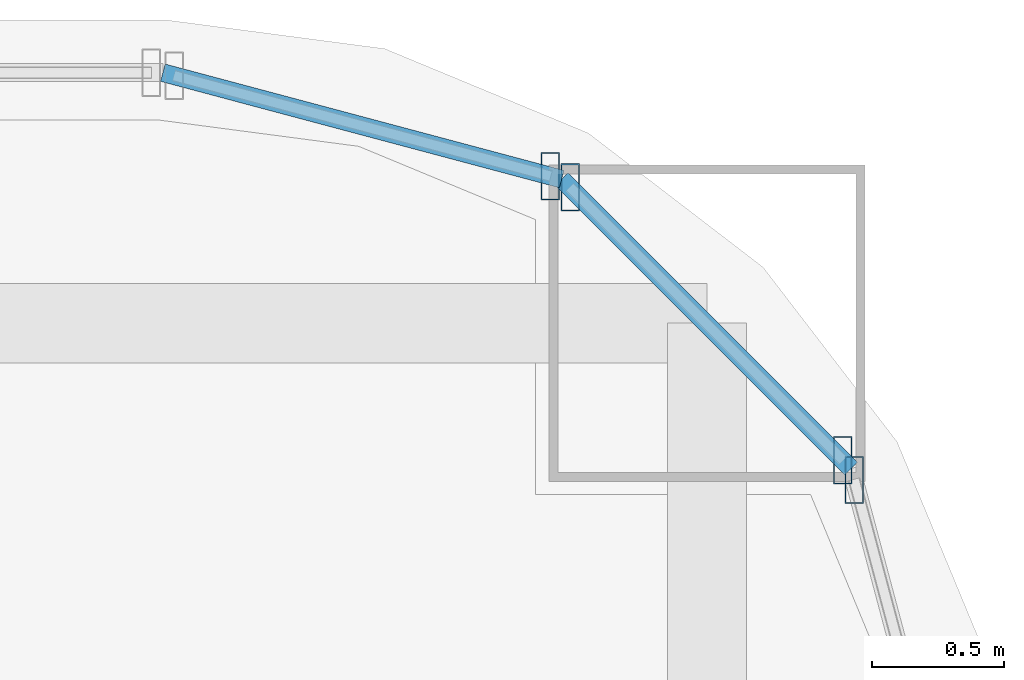
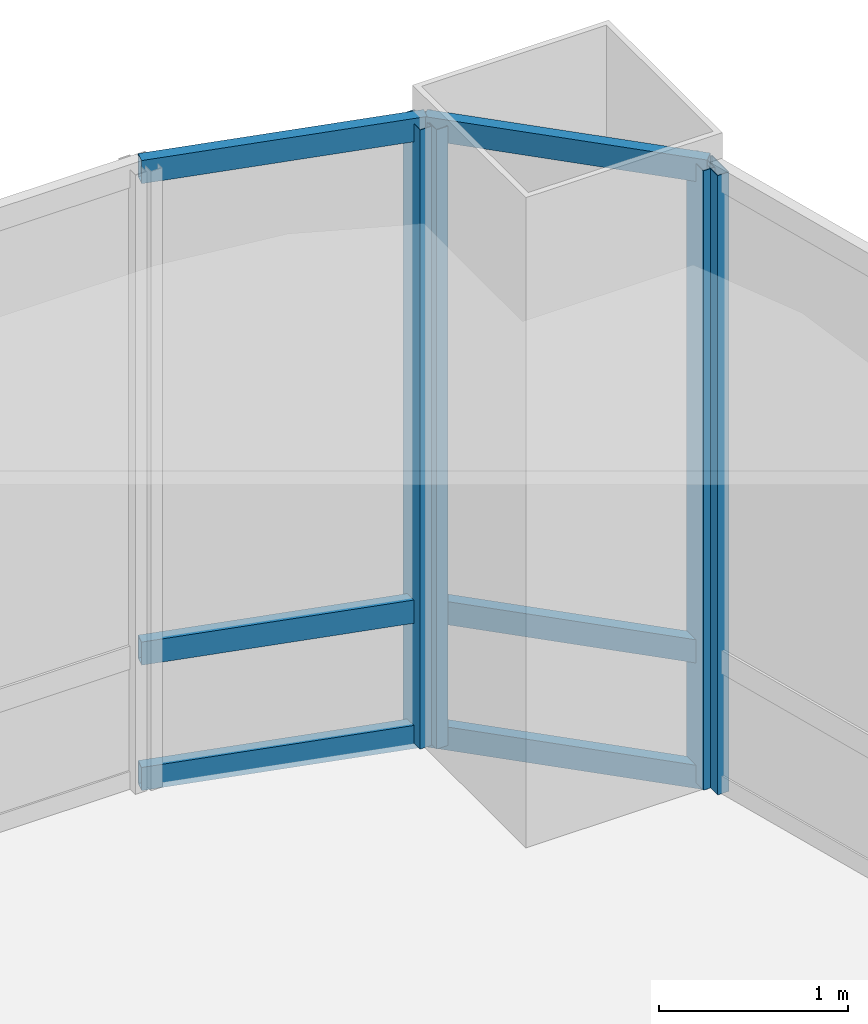
# One storey, part 32 of 43: 10 members, 3 elements without a shape of their own.
"""IFC4 building model written with IfcOpenShell, lengths in metres."""

from ifc_helpers import new_model, si_unit, direction, frame, origin, origin_2d, place, context, subcontext, project, spatial, hollow_rectangle, extrude, material, material_profile, profile_set, type_object, element, aggregate, save


model = new_model("IFC4")

# Units and contexts
model_context = context("Model", 3, precision=1e-05, world=origin(), true_north=direction((0.0, 1.0)))
body_context = subcontext(model_context, "Body", "Model", "MODEL_VIEW")
ifc_project = project(units=[si_unit("LENGTHUNIT", "METRE"), si_unit("AREAUNIT", "SQUARE_METRE"), si_unit("VOLUMEUNIT", "CUBIC_METRE"), si_unit("PLANEANGLEUNIT", "RADIAN"), si_unit("MASSUNIT", "GRAM", prefix="KILO")], contexts=[model_context])

# Site, building, storey
site_placement = place(None, origin())
site = spatial("IfcSite", under=ifc_project, at=site_placement, CompositionType="ELEMENT")
building_placement = place(site_placement, origin())
building = spatial("IfcBuilding", under=site, at=building_placement, Name="Punatoya Terracotta Tower", CompositionType="ELEMENT")
storey_placement = place(building_placement, frame((0.0, 0.0, 321.60009765625)))
storey = spatial("IfcBuildingStorey", under=building, at=storey_placement, Name="L76", CompositionType="ELEMENT", Elevation=321.60009765625)

# Curtain wall, member
ifc_material_1 = material(Name="Aluminium 6063-T6 + Double Low-E Glass", Category="aluminium")
curtain_wall_type = type_object("IfcCurtainWallType", Name="CW-OBS", PredefinedType="NOTDEFINED", material=ifc_material_1)
curtain_wall_1_placement = place(storey_placement, origin())
curtain_wall_1 = element("IfcCurtainWall", 1, at=curtain_wall_1_placement, inside=storey, type_object=curtain_wall_type, Name="L76 Curtain Wall CW-L76-CRN06", PredefinedType="NOTDEFINED")
ifc_material_2 = material(Name="Aluminium 6063-T6", Category="aluminium")
ifc_material_profile_1 = material_profile(ifc_material_2, hollow_rectangle(XDim=0.070068359375, YDim=0.179931640625, WallThickness=0.00390625, at=origin_2d()))
ifc_profile_set_1 = profile_set([ifc_material_profile_1], Name="Aluminium 6063-T6")
member_type_1 = type_object("IfcMemberType", Name="CW-MUL-M3", PredefinedType="MULLION", material=ifc_profile_set_1)
member_1_placement = place(storey_placement, frame((19.658203125, 16.905517578125, 0.0), z_axis=(0.0, 0.0, 1.0), x_axis=(1.0, 0.0, 0.0)))
member_1 = element("IfcMember", 2, at=member_1_placement, type_object=member_type_1, Name="CW-L76-CRN06 Mullion 01", PredefinedType="MULLION", context=body_context, shape_type="SweptSolid", body=[
    extrude(hollow_rectangle(XDim=0.070068359375, YDim=0.179931640625, WallThickness=0.00390625, at=origin_2d()), origin(), (0.0, 0.0, 1.0), 4.0),
])
aggregate(curtain_wall_1, [member_1])

# Curtain wall, members
curtain_wall_2_placement = place(storey_placement, origin())
curtain_wall_2 = element("IfcCurtainWall", 3, at=curtain_wall_2_placement, inside=storey, type_object=curtain_wall_type, Name="L76 Curtain Wall CW-L76-CRN07", PredefinedType="NOTDEFINED")
member_2_placement = place(storey_placement, frame((19.61474609375, 16.98095703125, 0.0), z_axis=(0.0, 0.0, 1.0), x_axis=(1.0, 0.0, 0.0)))
member_2 = element("IfcMember", 4, at=member_2_placement, type_object=member_type_1, Name="CW-L76-CRN07 Mullion 00", PredefinedType="MULLION", context=body_context, shape_type="SweptSolid", body=[
    extrude(hollow_rectangle(XDim=0.070068359375, YDim=0.179931640625, WallThickness=0.00390625, at=origin_2d()), origin(), (0.0, 0.0, 1.0), 4.0),
])
member_3_placement = place(storey_placement, frame((18.580810546875, 18.014892578125, 0.0), z_axis=(0.0, 0.0, 1.0), x_axis=(1.0, 0.0, 0.0)))
member_3 = element("IfcMember", 5, at=member_3_placement, type_object=member_type_1, Name="CW-L76-CRN07 Mullion 01", PredefinedType="MULLION", context=body_context, shape_type="SweptSolid", body=[
    extrude(hollow_rectangle(XDim=0.070068359375, YDim=0.179931640625, WallThickness=0.00390625, at=origin_2d()), origin(), (0.0, 0.0, 1.0), 4.0),
])

# Curtain wall, member
curtain_wall_3_placement = place(storey_placement, origin())
curtain_wall_3 = element("IfcCurtainWall", 6, at=curtain_wall_3_placement, inside=storey, type_object=curtain_wall_type, Name="L76 Curtain Wall CW-L76-CRN08", PredefinedType="NOTDEFINED")
member_4_placement = place(storey_placement, frame((18.505615234375, 18.05810546875, 0.0), z_axis=(0.0, 0.0, 1.0), x_axis=(1.0, 0.0, 0.0)))
member_4 = element("IfcMember", 7, at=member_4_placement, type_object=member_type_1, Name="CW-L76-CRN08 Mullion 00", PredefinedType="MULLION", context=body_context, shape_type="SweptSolid", body=[
    extrude(hollow_rectangle(XDim=0.070068359375, YDim=0.179931640625, WallThickness=0.00390625, at=origin_2d()), origin(), (0.0, 0.0, 1.0), 4.0),
])

# Member
ifc_material_profile_2 = material_profile(ifc_material_2, hollow_rectangle(XDim=0.068115234375, YDim=0.14990234375, WallThickness=0.00390625, at=origin_2d()))
ifc_profile_set_2 = profile_set([ifc_material_profile_2], Name="Aluminium 6063-T6")
member_type_2 = type_object("IfcMemberType", Name="CW-TRN-TYP", PredefinedType="USERDEFINED", material=ifc_profile_set_2)
member_5_placement = place(storey_placement, frame((19.646484375, 16.94921875, 0.039794921875), z_axis=(-0.707106781187, 0.707106781187, 0.0), x_axis=(-0.707106781187, -0.707106781187, 0.0)))
member_5 = element("IfcMember", 8, at=member_5_placement, type_object=member_type_2, Name="CW-L76-CRN07 Transom 1", ObjectType="TRANSOM", PredefinedType="USERDEFINED", context=body_context, shape_type="SweptSolid", body=[
    extrude(hollow_rectangle(XDim=0.068115234375, YDim=0.14990234375, WallThickness=0.00390625, at=origin_2d()), origin(), (0.0, 0.0, 1.0), 1.552001953125),
])

member_6_placement = place(storey_placement, frame((19.646484375, 16.94921875, 0.849853515625), z_axis=(-0.707106781187, 0.707106781187, 0.0), x_axis=(-0.707106781187, -0.707106781187, 0.0)))
member_6 = element("IfcMember", 9, at=member_6_placement, type_object=member_type_2, Name="CW-L76-CRN07 Transom 2", ObjectType="TRANSOM", PredefinedType="USERDEFINED", context=body_context, shape_type="SweptSolid", body=[
    extrude(hollow_rectangle(XDim=0.068115234375, YDim=0.14990234375, WallThickness=0.00390625, at=origin_2d()), origin(), (0.0, 0.0, 1.0), 1.552001953125),
])

member_7_placement = place(storey_placement, frame((19.646484375, 16.94921875, 3.9599609375), z_axis=(-0.707106781187, 0.707106781187, 0.0), x_axis=(-0.707106781187, -0.707106781187, 0.0)))
member_7 = element("IfcMember", 10, at=member_7_placement, type_object=member_type_2, Name="CW-L76-CRN07 Transom 3", ObjectType="TRANSOM", PredefinedType="USERDEFINED", context=body_context, shape_type="SweptSolid", body=[
    extrude(hollow_rectangle(XDim=0.068115234375, YDim=0.14990234375, WallThickness=0.00390625, at=origin_2d()), origin(), (0.0, 0.0, 1.0), 1.552001953125),
])

aggregate(curtain_wall_2, [member_2, member_3, member_5, member_6, member_7])

member_8_placement = place(storey_placement, frame((18.549072265625, 18.046630859375, 0.039794921875), z_axis=(-0.966224582397, 0.257701486942, 0.0), x_axis=(-0.257701486942, -0.966224582397, 0.0)))
member_8 = element("IfcMember", 11, at=member_8_placement, type_object=member_type_2, Name="CW-L76-CRN08 Transom 1", ObjectType="TRANSOM", PredefinedType="USERDEFINED", context=body_context, shape_type="SweptSolid", body=[
    extrude(hollow_rectangle(XDim=0.068115234375, YDim=0.14990234375, WallThickness=0.00390625, at=origin_2d()), origin(), (0.0, 0.0, 1.0), 1.565185546875),
])

member_9_placement = place(storey_placement, frame((18.549072265625, 18.046630859375, 0.849853515625), z_axis=(-0.966224582397, 0.257701486942, 0.0), x_axis=(-0.257701486942, -0.966224582397, 0.0)))
member_9 = element("IfcMember", 12, at=member_9_placement, type_object=member_type_2, Name="CW-L76-CRN08 Transom 2", ObjectType="TRANSOM", PredefinedType="USERDEFINED", context=body_context, shape_type="SweptSolid", body=[
    extrude(hollow_rectangle(XDim=0.068115234375, YDim=0.14990234375, WallThickness=0.00390625, at=origin_2d()), origin(), (0.0, 0.0, 1.0), 1.565185546875),
])

member_10_placement = place(storey_placement, frame((18.549072265625, 18.046630859375, 3.9599609375), z_axis=(-0.966224582397, 0.257701486942, 0.0), x_axis=(-0.257701486942, -0.966224582397, 0.0)))
member_10 = element("IfcMember", 13, at=member_10_placement, type_object=member_type_2, Name="CW-L76-CRN08 Transom 3", ObjectType="TRANSOM", PredefinedType="USERDEFINED", context=body_context, shape_type="SweptSolid", body=[
    extrude(hollow_rectangle(XDim=0.068115234375, YDim=0.14990234375, WallThickness=0.00390625, at=origin_2d()), origin(), (0.0, 0.0, 1.0), 1.565185546875),
])

aggregate(curtain_wall_3, [member_4, member_8, member_9, member_10])

save(model, "model.ifc")
